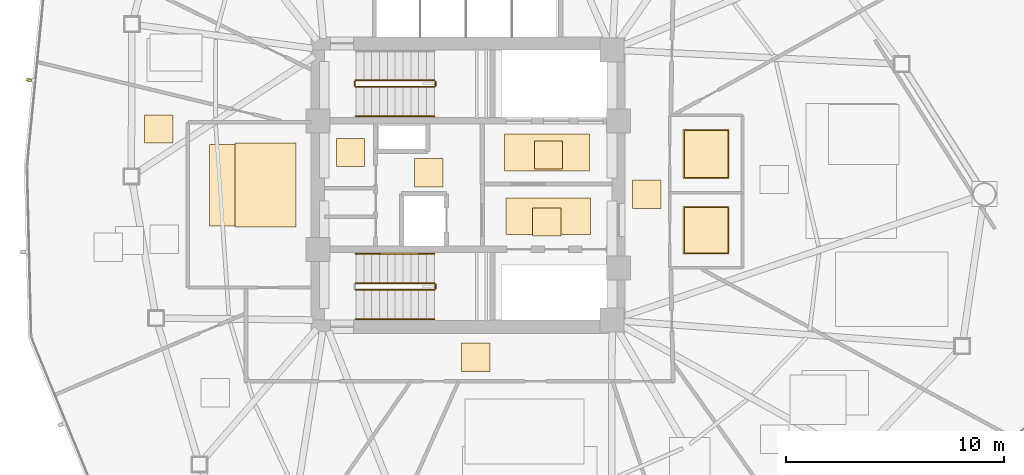
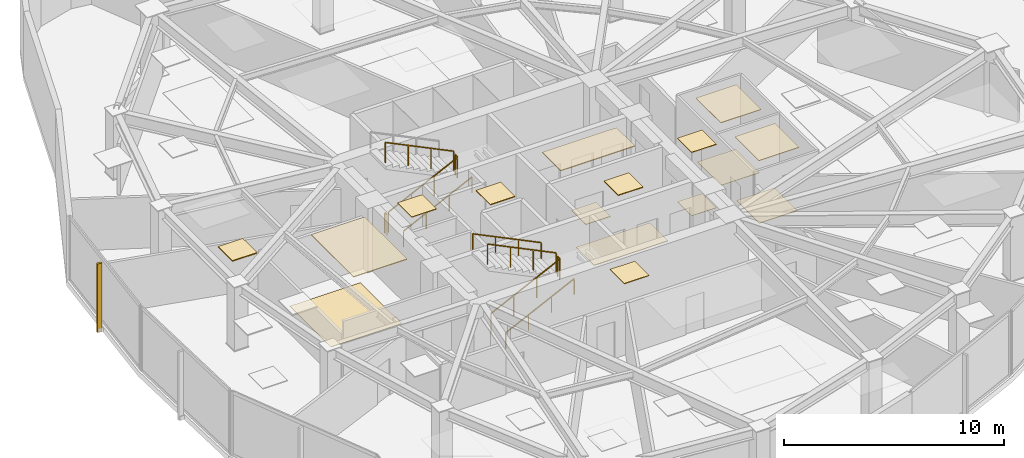
# One storey, part 15 of 17: 16 coverings, 10 railings, 1 shading device.
"""IFC4 building model written with IfcOpenShell, lengths in metres."""

from ifc_helpers import new_model, si_unit, direction, frame, origin, origin_2d, place, context, subcontext, project, spatial, polyline, rectangle, outline, extrude, source, transform, mapped, material, layer, layer_set, type_object, type_shapes, element, save


model = new_model("IFC4")

# Units and contexts
model_context = context("Model", 3, precision=1e-05, world=origin(), true_north=direction((0.0, 1.0)))
body_context = subcontext(model_context, "Body", "Model", "MODEL_VIEW")
ifc_project = project(units=[si_unit("LENGTHUNIT", "METRE"), si_unit("AREAUNIT", "SQUARE_METRE"), si_unit("VOLUMEUNIT", "CUBIC_METRE"), si_unit("PLANEANGLEUNIT", "RADIAN"), si_unit("MASSUNIT", "GRAM", prefix="KILO")], contexts=[model_context])

# Site, building, storey
site_placement = place(None, origin())
site = spatial("IfcSite", under=ifc_project, at=site_placement, CompositionType="ELEMENT")
building_placement = place(site_placement, origin())
building = spatial("IfcBuilding", under=site, at=building_placement, Name="Tavelor Broadcast Tower", CompositionType="ELEMENT")
storey_placement = place(building_placement, frame((0.0, 0.0, 150.25)))
storey = spatial("IfcBuildingStorey", under=building, at=storey_placement, Name="L35", CompositionType="ELEMENT", Elevation=150.25)

# Coverings
ifc_material_1 = material(Name="Copper-Bronze Anodized Aluminium", Category="aluminium")
ifc_layer_1 = layer(ifc_material_1, 0.044921875)
ifc_layer_set_1 = layer_set([ifc_layer_1], Name="Copper-Bronze Anodized Aluminium")
covering_type_1 = type_object("IfcCoveringType", Name="Anodised Bronze Linear Slatted Concourse Ceiling 45 mm", PredefinedType="CEILING", material=ifc_layer_set_1)
covering_1_placement = place(storey_placement, frame((0.0, 0.0, 3.5048828125)))
element("IfcCovering", 1, at=covering_1_placement, inside=storey, type_object=covering_type_1, Name="L35 Suspended Acoustic Ceiling 1422", PredefinedType="CEILING", context=body_context, shape_type="SweptSolid", body=[
    extrude(outline(polyline([(51.659912109375, 45.654296875), (55.55712890625, 45.654296875), (55.55712890625, 47.331787109375), (51.659912109375, 47.331787109375), (51.659912109375, 45.654296875)])), origin(), (0.0, 0.0, 1.0), 0.045166015625),
])
covering_2_placement = place(storey_placement, frame((0.0, 0.0, 3.5048828125)))
element("IfcCovering", 2, at=covering_2_placement, inside=storey, type_object=covering_type_1, Name="L35 Suspended Acoustic Ceiling 1423", PredefinedType="CEILING", context=body_context, shape_type="SweptSolid", body=[
    extrude(outline(polyline([(52.95361328125, 42.656982421875), (54.25341796875, 42.656982421875), (54.25341796875, 43.95703125), (52.95361328125, 43.95703125), (52.95361328125, 42.656982421875)])), origin(), (0.0, 0.0, 1.0), 0.045166015625),
])
covering_3_placement = place(storey_placement, frame((0.0, 0.0, 3.5048828125)))
element("IfcCovering", 3, at=covering_3_placement, inside=storey, type_object=covering_type_1, Name="L35 Suspended Acoustic Ceiling 1424", PredefinedType="CEILING", context=body_context, shape_type="SweptSolid", body=[
    extrude(outline(polyline([(47.544921875, 44.919921875), (48.844970703125, 44.919921875), (48.844970703125, 46.219970703125), (47.544921875, 46.219970703125), (47.544921875, 44.919921875)])), origin(), (0.0, 0.0, 1.0), 0.045166015625),
])

# Railings
ifc_material_2 = material(Name="Steel S355", Category="steel")
railing_type_1 = type_object("IfcRailingType", Name="Continuous Brushed Stainless Handrail 900 mm", PredefinedType="HANDRAIL", material=ifc_material_2)
for number, where, name in (
    (4, (44.85009765625, 48.14990234375, 0.175048828125), "L35 ST1 stair handrail 1"),
    (5, (44.85009765625, 38.85009765625, 0.175048828125), "L35 ST2 stair handrail 1"),
):
    element("IfcRailing", number, at=place(storey_placement, frame(where)), inside=storey, type_object=railing_type_1, Name=name, PredefinedType="HANDRAIL", context=body_context, shape_type="SweptSolid", body=[
        extrude(rectangle(XDim=0.048095703125, YDim=0.048095703125, at=origin_2d()), frame((0.0, 0.0, 0.8759765625), z_axis=(0.899360859046, 0.0, 0.437207096483), x_axis=(0.0, 1.0, 0.0)), (0.0, 0.0, 1.0), 4.002685546875),
        extrude(rectangle(XDim=0.0419921875, YDim=0.0419921875, at=origin_2d()), origin(), (0.0, 0.0, 1.0), 0.851806640625),
        extrude(rectangle(XDim=0.0419921875, YDim=0.0419921875, at=origin_2d()), frame((1.199951171875, 0.0, 0.583251953125)), (0.0, 0.0, 1.0), 0.851806640625),
        extrude(rectangle(XDim=0.0419921875, YDim=0.0419921875, at=origin_2d()), frame((2.39990234375, 0.0, 1.166748046875)), (0.0, 0.0, 1.0), 0.851806640625),
        extrude(rectangle(XDim=0.0419921875, YDim=0.0419921875, at=origin_2d()), frame((3.599853515625, 0.0, 1.75)), (0.0, 0.0, 1.0), 0.851806640625),
    ])
railing_1_placement = place(storey_placement, frame((48.449951171875, 41.85009765625, 2.10009765625)))
element("IfcRailing", 6, at=railing_1_placement, inside=storey, type_object=railing_type_1, Name="L35 ST2 stair handrail 2", PredefinedType="HANDRAIL", context=body_context, shape_type="SweptSolid", body=[
    extrude(rectangle(XDim=0.048095703125, YDim=0.048095703125, at=origin_2d()), frame((0.0, 0.0, 0.8759765625), z_axis=(-0.899360859046, 0.0, 0.437207096483), x_axis=(0.0, -1.0, 0.0)), (0.0, 0.0, 1.0), 4.002685546875),
    extrude(rectangle(XDim=0.0419921875, YDim=0.0419921875, at=origin_2d()), origin(), (0.0, 0.0, 1.0), 0.851806640625),
    extrude(rectangle(XDim=0.0419921875, YDim=0.0419921875, at=origin_2d()), frame((-1.199951171875, 0.0, 0.583251953125)), (0.0, 0.0, 1.0), 0.851806640625),
    extrude(rectangle(XDim=0.0419921875, YDim=0.0419921875, at=origin_2d()), frame((-2.39990234375, 0.0, 1.166748046875)), (0.0, 0.0, 1.0), 0.851806640625),
    extrude(rectangle(XDim=0.0419921875, YDim=0.0419921875, at=origin_2d()), frame((-3.599853515625, 0.0, 1.75)), (0.0, 0.0, 1.0), 0.851806640625),
])

# Coverings
ifc_material_3 = material(Name="Architectural Anodized Aluminium", Category="aluminium")
ifc_layer_2 = layer(ifc_material_3, 0.034912109375)
ifc_layer_set_2 = layer_set([ifc_layer_2], Name="Architectural Anodized Aluminium")
covering_type_2 = type_object("IfcCoveringType", Name="Demountable Metal Tile Corridor Ceiling 35 mm", PredefinedType="CEILING", material=ifc_layer_set_2)
covering_4_placement = place(storey_placement, frame((0.0, 0.0, 3.514892578125)))
element("IfcCovering", 7, at=covering_4_placement, inside=storey, type_object=covering_type_2, Name="L35 Suspended Acoustic Ceiling 1426", PredefinedType="CEILING", context=body_context, shape_type="SweptSolid", body=[
    extrude(outline(polyline([(57.5400390625, 43.925048828125), (58.840087890625, 43.925048828125), (58.840087890625, 45.22509765625), (57.5400390625, 45.22509765625), (57.5400390625, 43.925048828125)])), origin(), (0.0, 0.0, 1.0), 0.03515625),
])
covering_5_placement = place(storey_placement, frame((0.0, 0.0, 3.514892578125)))
element("IfcCovering", 8, at=covering_5_placement, inside=storey, type_object=covering_type_2, Name="L35 Suspended Acoustic Ceiling 1427", PredefinedType="CEILING", context=body_context, shape_type="SweptSolid", body=[
    extrude(outline(polyline([(49.689208984375, 36.449951171875), (50.9892578125, 36.449951171875), (50.9892578125, 37.75), (49.689208984375, 37.75), (49.689208984375, 36.449951171875)])), origin(), (0.0, 0.0, 1.0), 0.03515625),
])
ifc_material_4 = material(Name="Acoustic Nylon Carpet Tile")
ifc_layer_3 = layer(ifc_material_4, 0.02001953125)
ifc_layer_set_3 = layer_set([ifc_layer_3], Name="Acoustic Nylon Carpet Tile")
covering_type_3 = type_object("IfcCoveringType", Name="Heavy-Duty Acoustic Broadcast Carpet Tile 20 mm", PredefinedType="FLOORING", material=ifc_layer_set_3)
covering_6_placement = place(storey_placement, origin())
element("IfcCovering", 9, at=covering_6_placement, inside=storey, type_object=covering_type_3, Name="L35 Broadcast Floor Finish 0499", PredefinedType="FLOORING", context=body_context, shape_type="SweptSolid", body=[
    extrude(outline(polyline([(57.5400390625, 43.925048828125), (58.840087890625, 43.925048828125), (58.840087890625, 45.22509765625), (57.5400390625, 45.22509765625), (57.5400390625, 43.925048828125)])), origin(), (0.0, 0.0, 1.0), 0.02001953125),
])
covering_7_placement = place(storey_placement, origin())
element("IfcCovering", 10, at=covering_7_placement, inside=storey, type_object=covering_type_3, Name="L35 Broadcast Floor Finish 0500", PredefinedType="FLOORING", context=body_context, shape_type="SweptSolid", body=[
    extrude(outline(polyline([(38.143798828125, 43.12890625), (41.856201171875, 43.12890625), (41.856201171875, 46.87060546875), (38.143798828125, 46.87060546875), (38.143798828125, 43.12890625)])), origin(), (0.0, 0.0, 1.0), 0.02001953125),
])
ifc_material_5 = material(Name="Honed Natural Limestone Tile", Category="masonry")
ifc_layer_4 = layer(ifc_material_5, 0.030029296875)
ifc_layer_set_4 = layer_set([ifc_layer_4], Name="Honed Natural Limestone Tile")
covering_type_4 = type_object("IfcCoveringType", Name="Honed Jerusalem Limestone Concourse Flooring 30 mm", PredefinedType="FLOORING", material=ifc_layer_set_4)
covering_8_placement = place(storey_placement, origin())
element("IfcCovering", 11, at=covering_8_placement, inside=storey, type_object=covering_type_4, Name="L35 Broadcast Floor Finish 0497", PredefinedType="FLOORING", context=body_context, shape_type="SweptSolid", body=[
    extrude(outline(polyline([(53.030029296875, 45.728515625), (54.330078125, 45.728515625), (54.330078125, 47.028564453125), (53.030029296875, 47.028564453125), (53.030029296875, 45.728515625)])), origin(), (0.0, 0.0, 1.0), 0.030029296875),
])
covering_9_placement = place(storey_placement, origin())
element("IfcCovering", 12, at=covering_9_placement, inside=storey, type_object=covering_type_4, Name="L35 Broadcast Floor Finish 0498", PredefinedType="FLOORING", context=body_context, shape_type="SweptSolid", body=[
    extrude(outline(polyline([(51.728759765625, 42.743408203125), (55.62109375, 42.743408203125), (55.62109375, 44.396484375), (51.728759765625, 44.396484375), (51.728759765625, 42.743408203125)])), origin(), (0.0, 0.0, 1.0), 0.030029296875),
])
ifc_material_6 = material(Name="Acoustic Perforated Timber Baffle", Category="wood")
ifc_layer_5 = layer(ifc_material_6, 0.054931640625)
ifc_layer_set_5 = layer_set([ifc_layer_5], Name="Acoustic Perforated Timber Baffle")
covering_type_5 = type_object("IfcCoveringType", Name="Micro-Perforated Acoustic Baffle Studio Ceiling 55 mm", PredefinedType="CEILING", material=ifc_layer_set_5)
covering_10_placement = place(storey_placement, frame((0.0, 0.0, 3.4951171875)))
element("IfcCovering", 13, at=covering_10_placement, inside=storey, type_object=covering_type_5, Name="L35 Suspended Acoustic Ceiling 1450", PredefinedType="CEILING", context=body_context, shape_type="SweptSolid", body=[
    extrude(outline(polyline([(35.161865234375, 46.92236328125), (36.4619140625, 46.92236328125), (36.4619140625, 48.222412109375), (35.161865234375, 48.222412109375), (35.161865234375, 46.92236328125)])), origin(), (0.0, 0.0, 1.0), 0.054931640625),
])
ifc_layer_6 = layer(ifc_material_3, 0.030029296875)
ifc_layer_set_6 = layer_set([ifc_layer_6], Name="Architectural Anodized Aluminium")
covering_type_6 = type_object("IfcCoveringType", Name="Moisture-Resistant Washroom Ceiling 30 mm", PredefinedType="CEILING", material=ifc_layer_set_6)
covering_11_placement = place(storey_placement, frame((0.0, 0.0, 3.52001953125)))
element("IfcCovering", 14, at=covering_11_placement, inside=storey, type_object=covering_type_6, Name="L35 Suspended Acoustic Ceiling 1425", PredefinedType="CEILING", context=body_context, shape_type="SweptSolid", body=[
    extrude(outline(polyline([(43.951416015625, 45.843017578125), (45.25146484375, 45.843017578125), (45.25146484375, 47.14306640625), (43.951416015625, 47.14306640625), (43.951416015625, 45.843017578125)])), origin(), (0.0, 0.0, 1.0), 0.030029296875),
])
covering_12_placement = place(storey_placement, frame((0.0, 0.0, 3.52001953125)))
element("IfcCovering", 15, at=covering_12_placement, inside=storey, type_object=covering_type_6, Name="L35 Suspended Acoustic Ceiling 1429", PredefinedType="CEILING", context=body_context, shape_type="SweptSolid", body=[
    extrude(outline(polyline([(59.85302734375, 41.828369140625), (61.967041015625, 41.828369140625), (61.967041015625, 44.021484375), (59.85302734375, 44.021484375), (59.85302734375, 41.828369140625)])), origin(), (0.0, 0.0, 1.0), 0.030029296875),
])
covering_13_placement = place(storey_placement, frame((0.0, 0.0, 3.52001953125)))
element("IfcCovering", 16, at=covering_13_placement, inside=storey, type_object=covering_type_6, Name="L35 Suspended Acoustic Ceiling 1430", PredefinedType="CEILING", context=body_context, shape_type="SweptSolid", body=[
    extrude(outline(polyline([(59.85302734375, 45.29248046875), (61.967041015625, 45.29248046875), (61.967041015625, 47.5576171875), (59.85302734375, 47.5576171875), (59.85302734375, 45.29248046875)])), origin(), (0.0, 0.0, 1.0), 0.030029296875),
])
ifc_material_7 = material(Name="Slip-Resistant Porcelain Tile")
ifc_layer_7 = layer(ifc_material_7, 0.02490234375)
ifc_layer_set_7 = layer_set([ifc_layer_7], Name="Slip-Resistant Porcelain Tile")
covering_type_7 = type_object("IfcCoveringType", Name="Slip-Resistant Porcelain Wet-Area Floor Tile 25 mm", PredefinedType="FLOORING", material=ifc_layer_set_7)
covering_14_placement = place(storey_placement, origin())
element("IfcCovering", 17, at=covering_14_placement, inside=storey, type_object=covering_type_7, Name="L35 Broadcast Floor Finish 0501", PredefinedType="FLOORING", context=body_context, shape_type="SweptSolid", body=[
    extrude(outline(polyline([(59.91064453125, 41.885986328125), (61.909423828125, 41.885986328125), (61.909423828125, 43.964111328125), (59.91064453125, 43.964111328125), (59.91064453125, 41.885986328125)])), origin(), (0.0, 0.0, 1.0), 0.02490234375),
])
covering_15_placement = place(storey_placement, origin())
element("IfcCovering", 18, at=covering_15_placement, inside=storey, type_object=covering_type_7, Name="L35 Broadcast Floor Finish 0502", PredefinedType="FLOORING", context=body_context, shape_type="SweptSolid", body=[
    extrude(outline(polyline([(59.91064453125, 45.35009765625), (61.909423828125, 45.35009765625), (61.909423828125, 47.5), (59.91064453125, 47.5), (59.91064453125, 45.35009765625)])), origin(), (0.0, 0.0, 1.0), 0.02490234375),
])

# Railings
railing_type_2 = type_object("IfcRailingType", Name="Stairwell Steel Safety Guardrail 1150 mm", PredefinedType="GUARDRAIL", material=ifc_material_2)
railing_2_placement = place(storey_placement, frame((44.85009765625, 49.5, 0.175048828125)))
element("IfcRailing", 19, at=railing_2_placement, inside=storey, type_object=railing_type_2, Name="L35 ST1 stair guard 1", PredefinedType="GUARDRAIL", context=body_context, shape_type="SweptSolid", body=[
    extrude(rectangle(XDim=0.048095703125, YDim=0.048095703125, at=origin_2d()), frame((0.0, 0.0, 1.1259765625), z_axis=(0.899360859046, 0.0, 0.437207096483), x_axis=(0.0, 1.0, 0.0)), (0.0, 0.0, 1.0), 4.002685546875),
    extrude(rectangle(XDim=0.0419921875, YDim=0.0419921875, at=origin_2d()), origin(), (0.0, 0.0, 1.0), 1.101806640625),
    extrude(rectangle(XDim=0.0419921875, YDim=0.0419921875, at=origin_2d()), frame((1.199951171875, 0.0, 0.583251953125)), (0.0, 0.0, 1.0), 1.101806640625),
    extrude(rectangle(XDim=0.0419921875, YDim=0.0419921875, at=origin_2d()), frame((2.39990234375, 0.0, 1.166748046875)), (0.0, 0.0, 1.0), 1.101806640625),
    extrude(rectangle(XDim=0.0419921875, YDim=0.0419921875, at=origin_2d()), frame((3.599853515625, 0.0, 1.75)), (0.0, 0.0, 1.0), 1.101806640625),
])
railing_3_placement = place(storey_placement, frame((48.5, 49.550048828125, 1.925048828125)))
element("IfcRailing", 20, at=railing_3_placement, inside=storey, type_object=railing_type_2, Name="L35 ST1 stair guard 2", PredefinedType="GUARDRAIL", context=body_context, shape_type="SweptSolid", body=[
    extrude(rectangle(XDim=0.048095703125, YDim=0.048095703125, at=origin_2d()), frame((0.0, 0.0, 1.1259765625), z_axis=(0.0, 1.0, 0.0), x_axis=(-1.0, 0.0, 0.0)), (0.0, 0.0, 1.0), 0.199951171875),
    extrude(rectangle(XDim=0.0419921875, YDim=0.0419921875, at=origin_2d()), origin(), (0.0, 0.0, 1.0), 1.101806640625),
    extrude(rectangle(XDim=0.0419921875, YDim=0.0419921875, at=origin_2d()), frame((0.0, 0.199951171875, 0.0)), (0.0, 0.0, 1.0), 1.101806640625),
])
railing_4_placement = place(storey_placement, frame((48.449951171875, 49.800048828125, 2.10009765625)))
element("IfcRailing", 21, at=railing_4_placement, inside=storey, type_object=railing_type_2, Name="L35 ST1 stair guard 3", PredefinedType="GUARDRAIL", context=body_context, shape_type="SweptSolid", body=[
    extrude(rectangle(XDim=0.048095703125, YDim=0.048095703125, at=origin_2d()), frame((0.0, 0.0, 1.1259765625), z_axis=(-0.899360859046, 0.0, 0.437207096483), x_axis=(0.0, -1.0, 0.0)), (0.0, 0.0, 1.0), 4.002685546875),
    extrude(rectangle(XDim=0.0419921875, YDim=0.0419921875, at=origin_2d()), origin(), (0.0, 0.0, 1.0), 1.101806640625),
    extrude(rectangle(XDim=0.0419921875, YDim=0.0419921875, at=origin_2d()), frame((-1.199951171875, 0.0, 0.583251953125)), (0.0, 0.0, 1.0), 1.101806640625),
    extrude(rectangle(XDim=0.0419921875, YDim=0.0419921875, at=origin_2d()), frame((-2.39990234375, 0.0, 1.166748046875)), (0.0, 0.0, 1.0), 1.101806640625),
    extrude(rectangle(XDim=0.0419921875, YDim=0.0419921875, at=origin_2d()), frame((-3.599853515625, 0.0, 1.75)), (0.0, 0.0, 1.0), 1.101806640625),
])
railing_5_placement = place(storey_placement, frame((44.800048828125, 49.550048828125, 0.0)))
element("IfcRailing", 22, at=railing_5_placement, inside=storey, type_object=railing_type_2, Name="L35 ST1 stair guard 4", PredefinedType="GUARDRAIL", context=body_context, shape_type="SweptSolid", body=[
    extrude(rectangle(XDim=0.048095703125, YDim=0.048095703125, at=origin_2d()), frame((0.0, 0.0, 1.1259765625), z_axis=(0.0, 1.0, 0.0), x_axis=(-1.0, 0.0, 0.0)), (0.0, 0.0, 1.0), 0.199951171875),
    extrude(rectangle(XDim=0.0419921875, YDim=0.0419921875, at=origin_2d()), origin(), (0.0, 0.0, 1.0), 1.101806640625),
    extrude(rectangle(XDim=0.0419921875, YDim=0.0419921875, at=origin_2d()), frame((0.0, 0.199951171875, 0.0)), (0.0, 0.0, 1.0), 1.101806640625),
])
railing_6_placement = place(storey_placement, frame((44.85009765625, 40.199951171875, 0.175048828125)))
element("IfcRailing", 23, at=railing_6_placement, inside=storey, type_object=railing_type_2, Name="L35 ST2 stair guard 1", PredefinedType="GUARDRAIL", context=body_context, shape_type="SweptSolid", body=[
    extrude(rectangle(XDim=0.048095703125, YDim=0.048095703125, at=origin_2d()), frame((0.0, 0.0, 1.1259765625), z_axis=(0.899360859046, 0.0, 0.437207096483), x_axis=(0.0, 1.0, 0.0)), (0.0, 0.0, 1.0), 4.002685546875),
    extrude(rectangle(XDim=0.0419921875, YDim=0.0419921875, at=origin_2d()), origin(), (0.0, 0.0, 1.0), 1.101806640625),
    extrude(rectangle(XDim=0.0419921875, YDim=0.0419921875, at=origin_2d()), frame((1.199951171875, 0.0, 0.583251953125)), (0.0, 0.0, 1.0), 1.101806640625),
    extrude(rectangle(XDim=0.0419921875, YDim=0.0419921875, at=origin_2d()), frame((2.39990234375, 0.0, 1.166748046875)), (0.0, 0.0, 1.0), 1.101806640625),
    extrude(rectangle(XDim=0.0419921875, YDim=0.0419921875, at=origin_2d()), frame((3.599853515625, 0.0, 1.75)), (0.0, 0.0, 1.0), 1.101806640625),
])
railing_7_placement = place(storey_placement, frame((48.5, 40.25, 1.925048828125)))
element("IfcRailing", 24, at=railing_7_placement, inside=storey, type_object=railing_type_2, Name="L35 ST2 stair guard 2", PredefinedType="GUARDRAIL", context=body_context, shape_type="SweptSolid", body=[
    extrude(rectangle(XDim=0.048095703125, YDim=0.048095703125, at=origin_2d()), frame((0.0, 0.0, 1.1259765625), z_axis=(0.0, 1.0, 0.0), x_axis=(-1.0, 0.0, 0.0)), (0.0, 0.0, 1.0), 0.199951171875),
    extrude(rectangle(XDim=0.0419921875, YDim=0.0419921875, at=origin_2d()), origin(), (0.0, 0.0, 1.0), 1.101806640625),
    extrude(rectangle(XDim=0.0419921875, YDim=0.0419921875, at=origin_2d()), frame((0.0, 0.199951171875, 0.0)), (0.0, 0.0, 1.0), 1.101806640625),
])
railing_8_placement = place(storey_placement, frame((48.449951171875, 40.5, 2.10009765625)))
element("IfcRailing", 25, at=railing_8_placement, inside=storey, type_object=railing_type_2, Name="L35 ST2 stair guard 3", PredefinedType="GUARDRAIL", context=body_context, shape_type="SweptSolid", body=[
    extrude(rectangle(XDim=0.048095703125, YDim=0.048095703125, at=origin_2d()), frame((0.0, 0.0, 1.1259765625), z_axis=(-0.899360859046, 0.0, 0.437207096483), x_axis=(0.0, -1.0, 0.0)), (0.0, 0.0, 1.0), 4.002685546875),
    extrude(rectangle(XDim=0.0419921875, YDim=0.0419921875, at=origin_2d()), origin(), (0.0, 0.0, 1.0), 1.101806640625),
    extrude(rectangle(XDim=0.0419921875, YDim=0.0419921875, at=origin_2d()), frame((-1.199951171875, 0.0, 0.583251953125)), (0.0, 0.0, 1.0), 1.101806640625),
    extrude(rectangle(XDim=0.0419921875, YDim=0.0419921875, at=origin_2d()), frame((-2.39990234375, 0.0, 1.166748046875)), (0.0, 0.0, 1.0), 1.101806640625),
    extrude(rectangle(XDim=0.0419921875, YDim=0.0419921875, at=origin_2d()), frame((-3.599853515625, 0.0, 1.75)), (0.0, 0.0, 1.0), 1.101806640625),
])

# Covering
ifc_material_8 = material(Name="Acoustic Mineral Fibre Tile")
ifc_layer_8 = layer(ifc_material_8, 0.0400390625)
ifc_layer_set_8 = layer_set([ifc_layer_8], Name="Acoustic Mineral Fibre Tile")
covering_type_8 = type_object("IfcCoveringType", Name="Suspended Acoustic Mineral-Fibre Office Ceiling 40 mm", PredefinedType="CEILING", material=ifc_layer_set_8)
covering_16_placement = place(storey_placement, frame((0.0, 0.0, 3.510009765625)))
element("IfcCovering", 26, at=covering_16_placement, inside=storey, type_object=covering_type_8, Name="L35 Suspended Acoustic Ceiling 1428", PredefinedType="CEILING", context=body_context, shape_type="SweptSolid", body=[
    extrude(outline(polyline([(39.2998046875, 43.0712890625), (42.111328125, 43.0712890625), (42.111328125, 46.927978515625), (39.2998046875, 46.927978515625), (39.2998046875, 43.0712890625)])), origin(), (0.0, 0.0, 1.0), 0.0400390625),
])

# Shading device
ifc_material_9 = material(Name="Kiln-Fired Glazed Terracotta", Category="masonry")
shading_device_type = type_object("IfcShadingDeviceType", Name="Extruded Terracotta Baguette Sun-Screen 110x240", PredefinedType="JALOUSIE", material=ifc_material_9)
shared_shape = source(origin(), body_context, "Body", "SweptSolid", [
    extrude(rectangle(XDim=0.110107421875, YDim=0.239990234375, at=origin_2d()), origin(), (0.0, 0.0, 1.0), 3.7900390625),
])
type_shapes(shading_device_type, [shared_shape])
shading_device_placement = place(storey_placement, frame((29.8505859375, 49.818603515625, -0.260009765625), z_axis=(0.0, 0.0, 1.0), x_axis=(-0.097235493922, -0.995261402206, 0.0)))
element("IfcShadingDevice", 27, at=shading_device_placement, inside=storey, type_object=shading_device_type, Name="L35 Terracotta Baguette Fin 349", PredefinedType="JALOUSIE", context=body_context, shape_type="MappedRepresentation", body=[
    mapped(shared_shape, transform((0.0, 0.0, 0.0), scale=1.0)),
])

save(model, "model.ifc")
